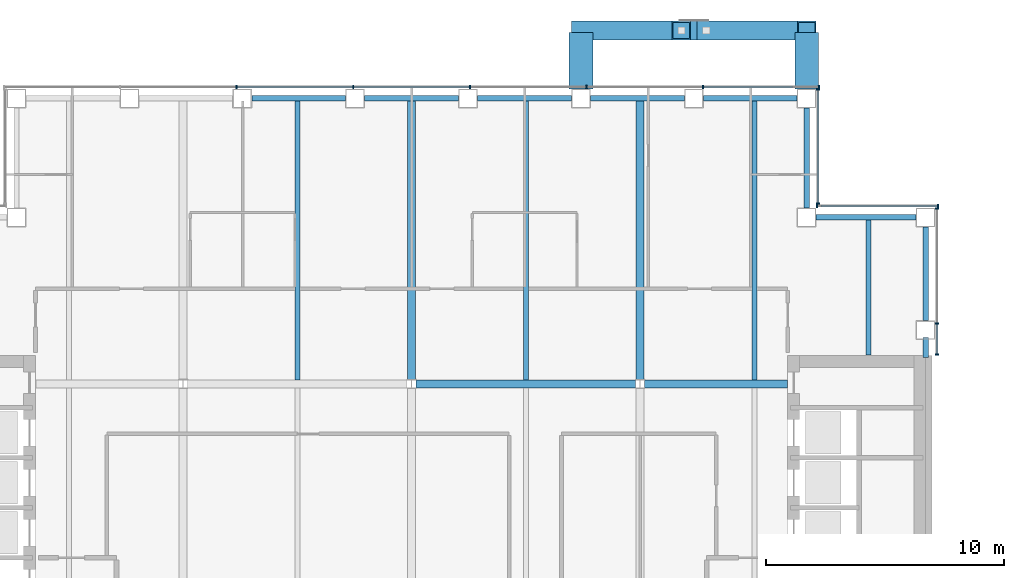
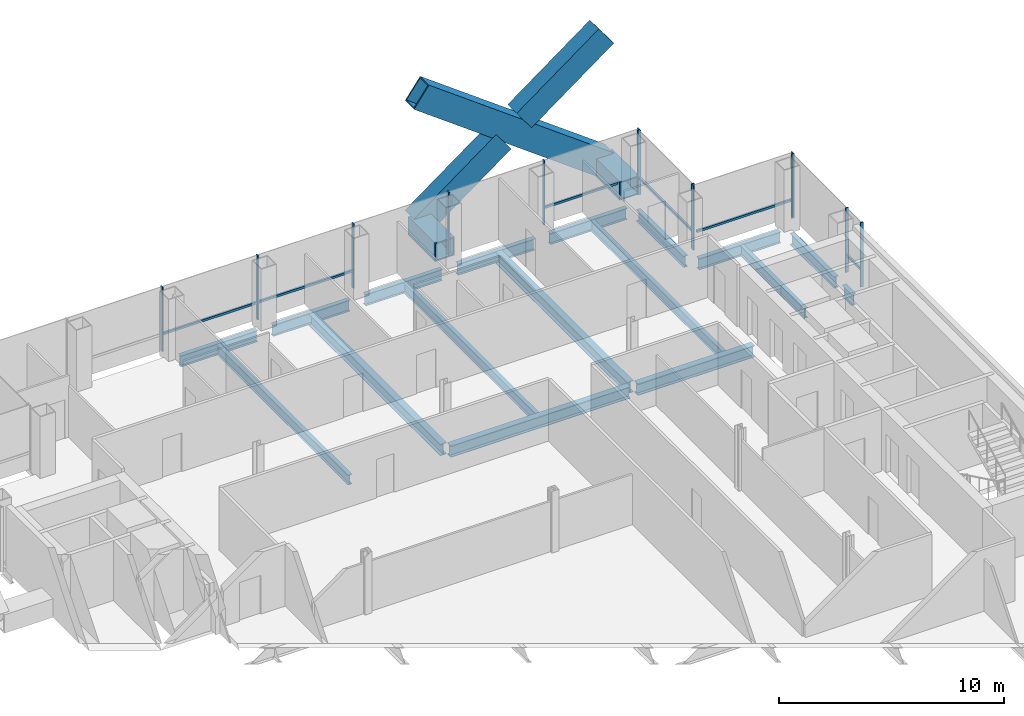
# One storey, part 7 of 14: 22 members, 19 beams, 4 elements without a shape of their own.
"""IFC4 building model written with IfcOpenShell, lengths in metres."""

from ifc_helpers import new_model, si_unit, direction, frame, origin, origin_2d, place, context, subcontext, project, spatial, rectangle, hollow_rectangle, i_section, extrude, material, material_profile, profile_set, type_object, element, aggregate, save


model = new_model("IFC4")

# Units and contexts
model_context = context("Model", 3, precision=1e-05, world=origin(), true_north=direction((0.0, 1.0)))
body_context = subcontext(model_context, "Body", "Model", "MODEL_VIEW")
ifc_project = project(units=[si_unit("LENGTHUNIT", "METRE"), si_unit("AREAUNIT", "SQUARE_METRE"), si_unit("VOLUMEUNIT", "CUBIC_METRE"), si_unit("PLANEANGLEUNIT", "RADIAN"), si_unit("MASSUNIT", "GRAM", prefix="KILO")], contexts=[model_context])

# Site, building, storey
site_placement = place(None, origin())
site = spatial("IfcSite", under=ifc_project, at=site_placement, CompositionType="ELEMENT")
building_placement = place(site_placement, origin())
building = spatial("IfcBuilding", under=site, at=building_placement, Name="Cobrizo Arcos Hotel Tower", CompositionType="ELEMENT")
storey_placement = place(building_placement, frame((0.0, 0.0, 179.5)))
storey = spatial("IfcBuildingStorey", under=building, at=storey_placement, Name="L46", CompositionType="ELEMENT", Elevation=179.5)

# Beams
ifc_material_1 = material(Name="Steel ASTM A572 Grade 50", Category="steel")
ifc_material_profile_1 = material_profile(ifc_material_1, hollow_rectangle(XDim=1.0, YDim=1.0, WallThickness=0.06005859375, at=origin_2d()), Name="BOX 1000X1000X60")
ifc_profile_set_1 = profile_set([ifc_material_profile_1], Name="Steel ASTM A572 Grade 50")
beam_type_1 = type_object("IfcBeamType", Name="BOX 1000X1000X60 brace connector strut", PredefinedType="BEAM", material=ifc_profile_set_1)
for number, where, z_axis, x_axis, name in (
    (1, (7.1142578125, 21.989990234375, 0.5), (0.0, 1.0, 0.0), (-1.0, 0.0, 0.0), "Perimeter brace stub BS1, zone Z3, north face, offset +7.11 m, L46"),
    (2, (16.60009765625, 21.989990234375, 0.5), (0.0, 1.0, 0.0), (-1.0, 0.0, 0.0), "Perimeter brace stub BS1, zone Z3, north face, offset +16.60 m, L46"),
):
    element("IfcBeam", number, at=place(storey_placement, frame(where, z_axis=z_axis, x_axis=x_axis)), inside=storey, type_object=beam_type_1, Name=name, PredefinedType="BEAM", context=body_context, shape_type="SweptSolid", body=[
        extrude(hollow_rectangle(XDim=1.0, YDim=1.0, WallThickness=0.06005859375, at=origin_2d()), origin(), (0.0, 0.0, 1.0), 2.380126953125),
    ])

# Members
ifc_material_profile_2 = material_profile(ifc_material_1, hollow_rectangle(XDim=0.800048828125, YDim=1.300048828125, WallThickness=0.06005859375, at=origin_2d()), Name="BOX 800X1300X60")
ifc_profile_set_2 = profile_set([ifc_material_profile_2], Name="Steel ASTM A572 Grade 50")
member_type_1 = type_object("IfcMemberType", Name="BOX 800X1300X60 perimeter brace", PredefinedType="BRACE", material=ifc_profile_set_2)
member_1_placement = place(storey_placement, frame((16.60009765625, 24.449951171875, 0.5), z_axis=(-0.804632973186, 0.0, 0.593772497225), x_axis=(0.0, -1.0, 0.0)))
element("IfcMember", 3, at=member_1_placement, inside=storey, type_object=member_type_1, Name="Perimeter brace PBR3, zone Z3, north face, no. 18", PredefinedType="BRACE", context=body_context, shape_type="SweptSolid", body=[
    extrude(hollow_rectangle(XDim=0.800048828125, YDim=1.300048828125, WallThickness=0.06005859375, at=origin_2d()), origin(), (0.0, 0.0, 1.0), 11.7890625),
])
for number, where, z_axis, x_axis, name in (
    (4, (7.1142578125, 24.449951171875, 0.5), (0.804623858684, 0.0, 0.593784848271), (0.0, 1.0, 0.0), "Perimeter brace PBR3, zone Z3, north face, no. 19"),
    (5, (12.38037109375, 24.449951171875, 4.385986328125), (0.804623858684, 0.0, 0.593784848271), (0.0, 1.0, 0.0), "Perimeter brace PBR3, zone Z3, north face, no. 19b"),
):
    element("IfcMember", number, at=place(storey_placement, frame(where, z_axis=z_axis, x_axis=x_axis)), inside=storey, type_object=member_type_1, Name=name, PredefinedType="BRACE", context=body_context, shape_type="SweptSolid", body=[
        extrude(hollow_rectangle(XDim=0.800048828125, YDim=1.300048828125, WallThickness=0.06005859375, at=origin_2d()), origin(), (0.0, 0.0, 1.0), 5.244384765625),
    ])

# Curtain wall, members
ifc_material_2 = material(Name="Aluminium 6063-T6 anodised bronze", Category="aluminium")
curtain_wall_type = type_object("IfcCurtainWallType", Name="CW-A guest facade", PredefinedType="NOTDEFINED", material=ifc_material_2)
curtain_wall_1_placement = place(storey_placement, origin())
curtain_wall_1 = element("IfcCurtainWall", 6, at=curtain_wall_1_placement, inside=storey, type_object=curtain_wall_type, Name="CW-A L46 E face", PredefinedType="NOTDEFINED")
ifc_material_profile_3 = material_profile(ifc_material_2, rectangle(XDim=0.14990234375, YDim=0.06005859375, at=origin_2d()), Name="CW-A mullion 150x60")
ifc_profile_set_3 = profile_set([ifc_material_profile_3], Name="Aluminium 6063-T6 anodised bronze")
member_type_2 = type_object("IfcMemberType", Name="CW-A mullion 150x60", PredefinedType="MULLION", material=ifc_profile_set_3)
member_2_placement = place(storey_placement, frame((22.074951171875, 10.830078125, 0.0), z_axis=(0.0, 0.0, 1.0), x_axis=(1.0, 0.0, 0.0)))
member_2 = element("IfcMember", 7, at=member_2_placement, type_object=member_type_2, Name="CW-A mullion 1", PredefinedType="MULLION", context=body_context, shape_type="SweptSolid", body=[
    extrude(rectangle(XDim=0.14990234375, YDim=0.06005859375, at=origin_2d()), origin(), (0.0, 0.0, 1.0), 3.5),
])
member_3_placement = place(storey_placement, frame((22.074951171875, 12.142822265625, 0.0), z_axis=(0.0, 0.0, 1.0), x_axis=(1.0, 0.0, 0.0)))
member_3 = element("IfcMember", 8, at=member_3_placement, type_object=member_type_2, Name="CW-A mullion 2", PredefinedType="MULLION", context=body_context, shape_type="SweptSolid", body=[
    extrude(rectangle(XDim=0.14990234375, YDim=0.06005859375, at=origin_2d()), origin(), (0.0, 0.0, 1.0), 3.5),
])
member_4_placement = place(storey_placement, frame((22.074951171875, 16.969970703125, 0.0), z_axis=(0.0, 0.0, 1.0), x_axis=(1.0, 0.0, 0.0)))
member_4 = element("IfcMember", 9, at=member_4_placement, type_object=member_type_2, Name="CW-A mullion 3", PredefinedType="MULLION", context=body_context, shape_type="SweptSolid", body=[
    extrude(rectangle(XDim=0.14990234375, YDim=0.06005859375, at=origin_2d()), origin(), (0.0, 0.0, 1.0), 3.5),
])

curtain_wall_2_placement = place(storey_placement, origin())
curtain_wall_2 = element("IfcCurtainWall", 10, at=curtain_wall_2_placement, inside=storey, type_object=curtain_wall_type, Name="CW-A L46 N face", PredefinedType="NOTDEFINED")
member_5_placement = place(storey_placement, frame((22.1201171875, 17.074951171875, 0.0), z_axis=(0.0, 0.0, 1.0), x_axis=(0.0, 1.0, 0.0)))
member_5 = element("IfcMember", 11, at=member_5_placement, type_object=member_type_2, Name="CW-A mullion 1", PredefinedType="MULLION", context=body_context, shape_type="SweptSolid", body=[
    extrude(rectangle(XDim=0.14990234375, YDim=0.06005859375, at=origin_2d()), origin(), (0.0, 0.0, 1.0), 3.5),
])
member_6_placement = place(storey_placement, frame((17.030029296875, 17.074951171875, 0.0), z_axis=(0.0, 0.0, 1.0), x_axis=(0.0, 1.0, 0.0)))
member_6 = element("IfcMember", 12, at=member_6_placement, type_object=member_type_2, Name="CW-A mullion 2", PredefinedType="MULLION", context=body_context, shape_type="SweptSolid", body=[
    extrude(rectangle(XDim=0.14990234375, YDim=0.06005859375, at=origin_2d()), origin(), (0.0, 0.0, 1.0), 3.5),
])

curtain_wall_3_placement = place(storey_placement, origin())
curtain_wall_3 = element("IfcCurtainWall", 13, at=curtain_wall_3_placement, inside=storey, type_object=curtain_wall_type, Name="CW-A L46 E face", PredefinedType="NOTDEFINED")
member_7_placement = place(storey_placement, frame((17.074951171875, 17.179931640625, 0.0), z_axis=(0.0, 0.0, 1.0), x_axis=(1.0, 0.0, 0.0)))
member_7 = element("IfcMember", 14, at=member_7_placement, type_object=member_type_2, Name="CW-A mullion 1", PredefinedType="MULLION", context=body_context, shape_type="SweptSolid", body=[
    extrude(rectangle(XDim=0.14990234375, YDim=0.06005859375, at=origin_2d()), origin(), (0.0, 0.0, 1.0), 3.5),
])
member_8_placement = place(storey_placement, frame((17.074951171875, 21.969970703125, 0.0), z_axis=(0.0, 0.0, 1.0), x_axis=(1.0, 0.0, 0.0)))
member_8 = element("IfcMember", 15, at=member_8_placement, type_object=member_type_2, Name="CW-A mullion 2", PredefinedType="MULLION", context=body_context, shape_type="SweptSolid", body=[
    extrude(rectangle(XDim=0.14990234375, YDim=0.06005859375, at=origin_2d()), origin(), (0.0, 0.0, 1.0), 3.5),
])

curtain_wall_4_placement = place(storey_placement, origin())
curtain_wall_4 = element("IfcCurtainWall", 16, at=curtain_wall_4_placement, inside=storey, type_object=curtain_wall_type, Name="CW-A L46 N face", PredefinedType="NOTDEFINED")
member_9_placement = place(storey_placement, frame((17.1201171875, 22.074951171875, 0.0), z_axis=(0.0, 0.0, 1.0), x_axis=(0.0, 1.0, 0.0)))
member_9 = element("IfcMember", 17, at=member_9_placement, type_object=member_type_2, Name="CW-A mullion 1", PredefinedType="MULLION", context=body_context, shape_type="SweptSolid", body=[
    extrude(rectangle(XDim=0.14990234375, YDim=0.06005859375, at=origin_2d()), origin(), (0.0, 0.0, 1.0), 3.5),
])
member_10_placement = place(storey_placement, frame((12.25, 22.074951171875, 0.0), z_axis=(0.0, 0.0, 1.0), x_axis=(0.0, 1.0, 0.0)))
member_10 = element("IfcMember", 18, at=member_10_placement, type_object=member_type_2, Name="CW-A mullion 2", PredefinedType="MULLION", context=body_context, shape_type="SweptSolid", body=[
    extrude(rectangle(XDim=0.14990234375, YDim=0.06005859375, at=origin_2d()), origin(), (0.0, 0.0, 1.0), 3.5),
])
member_11_placement = place(storey_placement, frame((7.35009765625, 22.074951171875, 0.0), z_axis=(0.0, 0.0, 1.0), x_axis=(0.0, 1.0, 0.0)))
member_11 = element("IfcMember", 19, at=member_11_placement, type_object=member_type_2, Name="CW-A mullion 3", PredefinedType="MULLION", context=body_context, shape_type="SweptSolid", body=[
    extrude(rectangle(XDim=0.14990234375, YDim=0.06005859375, at=origin_2d()), origin(), (0.0, 0.0, 1.0), 3.5),
])
member_12_placement = place(storey_placement, frame((2.449951171875, 22.074951171875, 0.0), z_axis=(0.0, 0.0, 1.0), x_axis=(0.0, 1.0, 0.0)))
member_12 = element("IfcMember", 20, at=member_12_placement, type_object=member_type_2, Name="CW-A mullion 4", PredefinedType="MULLION", context=body_context, shape_type="SweptSolid", body=[
    extrude(rectangle(XDim=0.14990234375, YDim=0.06005859375, at=origin_2d()), origin(), (0.0, 0.0, 1.0), 3.5),
])
member_13_placement = place(storey_placement, frame((-2.449951171875, 22.074951171875, 0.0), z_axis=(0.0, 0.0, 1.0), x_axis=(0.0, 1.0, 0.0)))
member_13 = element("IfcMember", 21, at=member_13_placement, type_object=member_type_2, Name="CW-A mullion 5", PredefinedType="MULLION", context=body_context, shape_type="SweptSolid", body=[
    extrude(rectangle(XDim=0.14990234375, YDim=0.06005859375, at=origin_2d()), origin(), (0.0, 0.0, 1.0), 3.5),
])
member_14_placement = place(storey_placement, frame((-7.35009765625, 22.074951171875, 0.0), z_axis=(0.0, 0.0, 1.0), x_axis=(0.0, 1.0, 0.0)))
member_14 = element("IfcMember", 22, at=member_14_placement, type_object=member_type_2, Name="CW-A mullion 6", PredefinedType="MULLION", context=body_context, shape_type="SweptSolid", body=[
    extrude(rectangle(XDim=0.14990234375, YDim=0.06005859375, at=origin_2d()), origin(), (0.0, 0.0, 1.0), 3.5),
])

# Member
ifc_material_profile_4 = material_profile(ifc_material_2, rectangle(XDim=0.10009765625, YDim=0.1201171875, at=origin_2d()), Name="CW-A transom 120x100")
ifc_profile_set_4 = profile_set([ifc_material_profile_4], Name="Aluminium 6063-T6 anodised bronze")
member_type_3 = type_object("IfcMemberType", Name="CW-A transom 120x100", PredefinedType="USERDEFINED", material=ifc_profile_set_4)
member_15_placement = place(storey_placement, frame((22.074951171875, 10.860107421875, 0.929931640625), z_axis=(0.0, 1.0, 0.0), x_axis=(-1.0, 0.0, 0.0)))
member_15 = element("IfcMember", 23, at=member_15_placement, type_object=member_type_3, Name="CW-A transom 1617", ObjectType="TRANSOM", PredefinedType="USERDEFINED", context=body_context, shape_type="SweptSolid", body=[
    extrude(rectangle(XDim=0.10009765625, YDim=0.1201171875, at=origin_2d()), origin(), (0.0, 0.0, 1.0), 1.252685546875),
])

aggregate(curtain_wall_1, [member_2, member_3, member_4, member_15])

member_16_placement = place(storey_placement, frame((22.090087890625, 17.074951171875, 0.929931640625), z_axis=(-1.0, 0.0, 0.0), x_axis=(0.0, -1.0, 0.0)))
member_16 = element("IfcMember", 24, at=member_16_placement, type_object=member_type_3, Name="CW-A transom 1619", ObjectType="TRANSOM", PredefinedType="USERDEFINED", context=body_context, shape_type="SweptSolid", body=[
    extrude(rectangle(XDim=0.10009765625, YDim=0.1201171875, at=origin_2d()), origin(), (0.0, 0.0, 1.0), 4.89013671875),
])

aggregate(curtain_wall_2, [member_5, member_6, member_16])

member_17_placement = place(storey_placement, frame((17.074951171875, 17.2099609375, 0.929931640625), z_axis=(0.0, 1.0, 0.0), x_axis=(-1.0, 0.0, 0.0)))
member_17 = element("IfcMember", 25, at=member_17_placement, type_object=member_type_3, Name="CW-A transom 1620", ObjectType="TRANSOM", PredefinedType="USERDEFINED", context=body_context, shape_type="SweptSolid", body=[
    extrude(rectangle(XDim=0.10009765625, YDim=0.1201171875, at=origin_2d()), origin(), (0.0, 0.0, 1.0), 4.679931640625),
])

aggregate(curtain_wall_3, [member_7, member_8, member_17])

member_18_placement = place(storey_placement, frame((16.0, 22.074951171875, 0.929931640625), z_axis=(-1.0, 0.0, 0.0), x_axis=(0.0, -1.0, 0.0)))
member_18 = element("IfcMember", 26, at=member_18_placement, type_object=member_type_3, Name="CW-A transom 1621", ObjectType="TRANSOM", PredefinedType="USERDEFINED", context=body_context, shape_type="SweptSolid", body=[
    extrude(rectangle(XDim=0.10009765625, YDim=0.1201171875, at=origin_2d()), origin(), (0.0, 0.0, 1.0), 3.719970703125),
])

member_19_placement = place(storey_placement, frame((2.419921875, 22.074951171875, 0.929931640625), z_axis=(-1.0, 0.0, 0.0), x_axis=(0.0, -1.0, 0.0)))
member_19 = element("IfcMember", 27, at=member_19_placement, type_object=member_type_3, Name="CW-A transom 1624", ObjectType="TRANSOM", PredefinedType="USERDEFINED", context=body_context, shape_type="SweptSolid", body=[
    extrude(rectangle(XDim=0.10009765625, YDim=0.1201171875, at=origin_2d()), origin(), (0.0, 0.0, 1.0), 4.83984375),
])

member_20_placement = place(storey_placement, frame((-2.47998046875, 22.074951171875, 0.929931640625), z_axis=(-1.0, 0.0, 0.0), x_axis=(0.0, -1.0, 0.0)))
member_20 = element("IfcMember", 28, at=member_20_placement, type_object=member_type_3, Name="CW-A transom 1625", ObjectType="TRANSOM", PredefinedType="USERDEFINED", context=body_context, shape_type="SweptSolid", body=[
    extrude(rectangle(XDim=0.10009765625, YDim=0.1201171875, at=origin_2d()), origin(), (0.0, 0.0, 1.0), 4.840087890625),
])

aggregate(curtain_wall_4, [member_9, member_10, member_11, member_12, member_13, member_14, member_18, member_19, member_20])

# Beams
ifc_material_3 = material(Name="Steel ASTM A992 Grade 50", Category="steel")
ifc_material_profile_5 = material_profile(ifc_material_3, i_section(OverallWidth=0.209228515625, OverallDepth=0.533447265625, WebThickness=0.01025390625, FlangeThickness=0.015625, at=origin_2d()), Name="W21X62")
ifc_profile_set_5 = profile_set([ifc_material_profile_5], Name="Steel ASTM A992 Grade 50")
beam_type_2 = type_object("IfcBeamType", Name="W21X62 joist", PredefinedType="JOIST", material=ifc_profile_set_5)
for number, where, z_axis, x_axis, name in (
    (29, (-4.800048828125, 9.763916015625, -0.416748046875), (0.0, 1.0, 0.0), (-1.0, 0.0, 0.0), "Floor joist J1, L46, no. 010"),
    (30, (4.800048828125, 9.763916015625, -0.416748046875), (0.0, 1.0, 0.0), (-1.0, 0.0, 0.0), "Floor joist J1, L46, no. 014"),
    (31, (14.39990234375, 9.763916015625, -0.416748046875), (0.0, 1.0, 0.0), (-1.0, 0.0, 0.0), "Floor joist J1, L46, no. 018"),
):
    element("IfcBeam", number, at=place(storey_placement, frame(where, z_axis=z_axis, x_axis=x_axis)), inside=storey, type_object=beam_type_2, Name=name, PredefinedType="JOIST", context=body_context, shape_type="SweptSolid", body=[
        extrude(i_section(OverallWidth=0.209228515625, OverallDepth=0.533447265625, WebThickness=0.01025390625, FlangeThickness=0.015625, at=origin_2d()), origin(), (0.0, 0.0, 1.0), 11.74609375),
    ])
beam_1_placement = place(storey_placement, frame((19.199951171875, 10.81005859375, -0.416748046875), z_axis=(0.0, 1.0, 0.0), x_axis=(-1.0, 0.0, 0.0)))
element("IfcBeam", 32, at=beam_1_placement, inside=storey, type_object=beam_type_2, Name="Floor joist J1, L46, no. 020", PredefinedType="JOIST", context=body_context, shape_type="SweptSolid", body=[
    extrude(i_section(OverallWidth=0.209228515625, OverallDepth=0.533447265625, WebThickness=0.01025390625, FlangeThickness=0.015625, at=origin_2d()), origin(), (0.0, 0.0, 1.0), 5.699951171875),
])
ifc_material_profile_6 = material_profile(ifc_material_3, i_section(OverallWidth=0.32763671875, OverallDepth=0.622314453125, WebThickness=0.015380859375, FlangeThickness=0.0244140625, at=origin_2d()), Name="W24X131")
ifc_profile_set_6 = profile_set([ifc_material_profile_6], Name="Steel ASTM A992 Grade 50")
beam_type_3 = type_object("IfcBeamType", Name="W24X131 girder", PredefinedType="BEAM", material=ifc_profile_set_6)
beam_2_placement = place(storey_placement, frame((0.186767578125, 9.60009765625, -0.461181640625), z_axis=(1.0, 0.0, 0.0), x_axis=(0.0, 1.0, 0.0)))
element("IfcBeam", 33, at=beam_2_placement, inside=storey, type_object=beam_type_3, Name="Floor girder G1, L46, no. 011", PredefinedType="BEAM", context=body_context, shape_type="SweptSolid", body=[
    extrude(i_section(OverallWidth=0.32763671875, OverallDepth=0.622314453125, WebThickness=0.015380859375, FlangeThickness=0.0244140625, at=origin_2d()), origin(), (0.0, 0.0, 1.0), 9.2265625),
])
beam_3_placement = place(storey_placement, frame((9.78662109375, 9.60009765625, -0.461181640625), z_axis=(1.0, 0.0, 0.0), x_axis=(0.0, 1.0, 0.0)))
element("IfcBeam", 34, at=beam_3_placement, inside=storey, type_object=beam_type_3, Name="Floor girder G1, L46, no. 012", PredefinedType="BEAM", context=body_context, shape_type="SweptSolid", body=[
    extrude(i_section(OverallWidth=0.32763671875, OverallDepth=0.622314453125, WebThickness=0.015380859375, FlangeThickness=0.0244140625, at=origin_2d()), origin(), (0.0, 0.0, 1.0), 6.00341796875),
])
for number, where, z_axis, x_axis, name in (
    (35, (0.0, 9.78662109375, -0.461181640625), (0.0, 1.0, 0.0), (-1.0, 0.0, 0.0), "Floor girder G1, L46, no. 020"),
    (36, (9.60009765625, 9.78662109375, -0.461181640625), (0.0, 1.0, 0.0), (-1.0, 0.0, 0.0), "Floor girder G1, L46, no. 024"),
):
    element("IfcBeam", number, at=place(storey_placement, frame(where, z_axis=z_axis, x_axis=x_axis)), inside=storey, type_object=beam_type_3, Name=name, PredefinedType="BEAM", context=body_context, shape_type="SweptSolid", body=[
        extrude(i_section(OverallWidth=0.32763671875, OverallDepth=0.622314453125, WebThickness=0.015380859375, FlangeThickness=0.0244140625, at=origin_2d()), origin(), (0.0, 0.0, 1.0), 11.723388671875),
    ])
ifc_material_profile_7 = material_profile(ifc_material_3, i_section(OverallWidth=0.228271484375, OverallDepth=0.607177734375, WebThickness=0.01123046875, FlangeThickness=0.017333984375, at=origin_2d()), Name="W24X76")
ifc_profile_set_7 = profile_set([ifc_material_profile_7], Name="Steel ASTM A992 Grade 50")
beam_type_4 = type_object("IfcBeamType", Name="W24X76 spandrel", PredefinedType="SPANDREL", material=ifc_profile_set_7)
beam_4_placement = place(storey_placement, frame((21.60009765625, 10.7099609375, -0.45361328125), z_axis=(0.0, 1.0, 0.0), x_axis=(-1.0, 0.0, 0.0)))
element("IfcBeam", 37, at=beam_4_placement, inside=storey, type_object=beam_type_4, Name="Spandrel beam W24X76, L46, no. 012", PredefinedType="SPANDREL", context=body_context, shape_type="SweptSolid", body=[
    extrude(i_section(OverallWidth=0.228271484375, OverallDepth=0.607177734375, WebThickness=0.01123046875, FlangeThickness=0.017333984375, at=origin_2d()), origin(), (0.0, 0.0, 1.0), 0.846923828125),
])
beam_5_placement = place(storey_placement, frame((21.60009765625, 12.257080078125, -0.45361328125), z_axis=(0.0, 1.0, 0.0), x_axis=(-1.0, 0.0, 0.0)))
element("IfcBeam", 38, at=beam_5_placement, inside=storey, type_object=beam_type_4, Name="Spandrel beam W24X76, L46, no. 013", PredefinedType="SPANDREL", context=body_context, shape_type="SweptSolid", body=[
    extrude(i_section(OverallWidth=0.228271484375, OverallDepth=0.607177734375, WebThickness=0.01123046875, FlangeThickness=0.017333984375, at=origin_2d()), origin(), (0.0, 0.0, 1.0), 3.94287109375),
])
for number, where, z_axis, x_axis, name in (
    (39, (21.199951171875, 16.60009765625, -0.45361328125), (-1.0, 0.0, 0.0), (0.0, -1.0, 0.0), "Spandrel beam W24X76, L46, no. 014"),
    (40, (16.60009765625, 17.0, -0.45361328125), (0.0, 1.0, 0.0), (-1.0, 0.0, 0.0), "Spandrel beam W24X76, L46, no. 015"),
):
    element("IfcBeam", number, at=place(storey_placement, frame(where, z_axis=z_axis, x_axis=x_axis)), inside=storey, type_object=beam_type_4, Name=name, PredefinedType="SPANDREL", context=body_context, shape_type="SweptSolid", body=[
        extrude(i_section(OverallWidth=0.228271484375, OverallDepth=0.607177734375, WebThickness=0.01123046875, FlangeThickness=0.017333984375, at=origin_2d()), origin(), (0.0, 0.0, 1.0), 4.199951171875),
    ])
beam_6_placement = place(storey_placement, frame((16.199951171875, 21.60009765625, -0.45361328125), z_axis=(-1.0, 0.0, 0.0), x_axis=(0.0, -1.0, 0.0)))
element("IfcBeam", 41, at=beam_6_placement, inside=storey, type_object=beam_type_4, Name="Spandrel beam W24X76, L46, no. 016", PredefinedType="SPANDREL", context=body_context, shape_type="SweptSolid", body=[
    extrude(i_section(OverallWidth=0.228271484375, OverallDepth=0.607177734375, WebThickness=0.01123046875, FlangeThickness=0.017333984375, at=origin_2d()), origin(), (0.0, 0.0, 1.0), 3.94287109375),
])
for number, where, z_axis, x_axis, name in (
    (42, (11.45703125, 21.60009765625, -0.45361328125), (-1.0, 0.0, 0.0), (0.0, -1.0, 0.0), "Spandrel beam W24X76, L46, no. 017"),
    (43, (6.714111328125, 21.60009765625, -0.45361328125), (-1.0, 0.0, 0.0), (0.0, -1.0, 0.0), "Spandrel beam W24X76, L46, no. 018"),
):
    element("IfcBeam", number, at=place(storey_placement, frame(where, z_axis=z_axis, x_axis=x_axis)), inside=storey, type_object=beam_type_4, Name=name, PredefinedType="SPANDREL", context=body_context, shape_type="SweptSolid", body=[
        extrude(i_section(OverallWidth=0.228271484375, OverallDepth=0.607177734375, WebThickness=0.01123046875, FlangeThickness=0.017333984375, at=origin_2d()), origin(), (0.0, 0.0, 1.0), 3.943115234375),
    ])
beam_7_placement = place(storey_placement, frame((1.970947265625, 21.60009765625, -0.45361328125), z_axis=(-1.0, 0.0, 0.0), x_axis=(0.0, -1.0, 0.0)))
element("IfcBeam", 44, at=beam_7_placement, inside=storey, type_object=beam_type_4, Name="Spandrel beam W24X76, L46, no. 019", PredefinedType="SPANDREL", context=body_context, shape_type="SweptSolid", body=[
    extrude(i_section(OverallWidth=0.228271484375, OverallDepth=0.607177734375, WebThickness=0.01123046875, FlangeThickness=0.017333984375, at=origin_2d()), origin(), (0.0, 0.0, 1.0), 3.94189453125),
])
beam_8_placement = place(storey_placement, frame((-2.77099609375, 21.60009765625, -0.45361328125), z_axis=(-1.0, 0.0, 0.0), x_axis=(0.0, -1.0, 0.0)))
element("IfcBeam", 45, at=beam_8_placement, inside=storey, type_object=beam_type_4, Name="Spandrel beam W24X76, L46, no. 020", PredefinedType="SPANDREL", context=body_context, shape_type="SweptSolid", body=[
    extrude(i_section(OverallWidth=0.228271484375, OverallDepth=0.607177734375, WebThickness=0.01123046875, FlangeThickness=0.017333984375, at=origin_2d()), origin(), (0.0, 0.0, 1.0), 3.943115234375),
])

save(model, "model.ifc")
